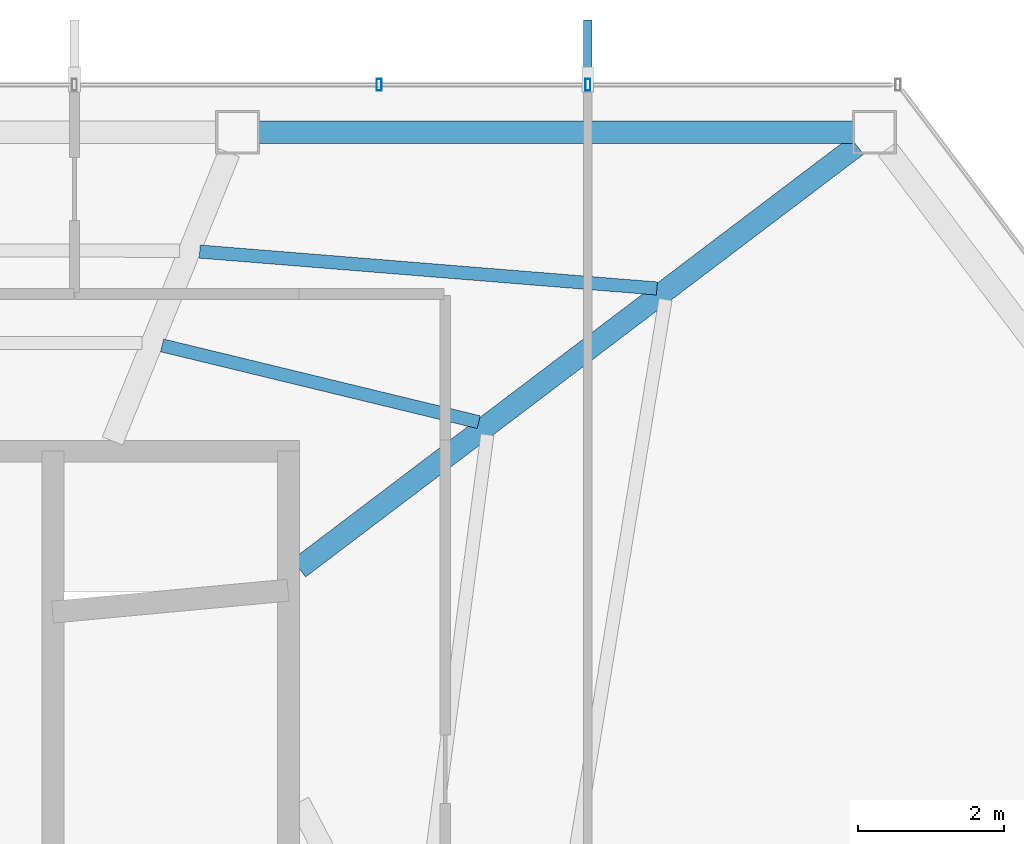
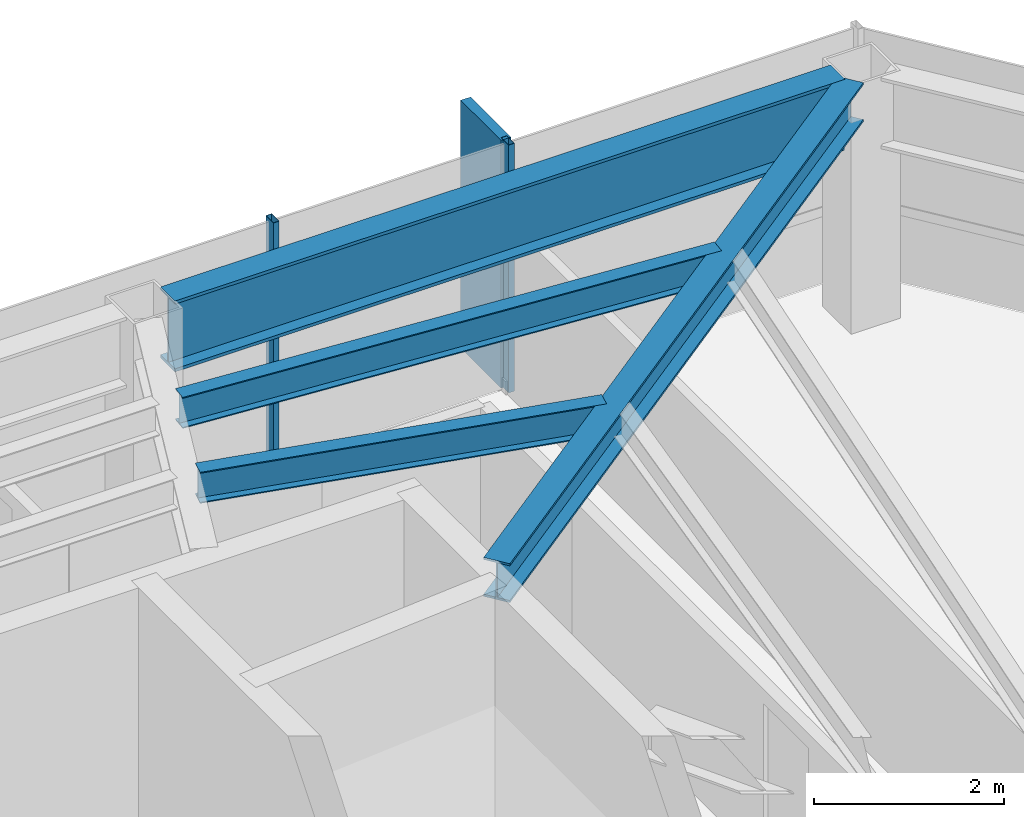
# One storey, part 19 of 25: 4 beams, 3 members, 1 element without a shape of its own.
"""IFC4 building model written with IfcOpenShell, lengths in metres."""

from ifc_helpers import new_model, si_unit, direction, frame, origin, origin_2d, place, context, subcontext, project, spatial, rectangle, hollow_rectangle, i_section, extrude, material, layer, layer_set, material_profile, profile_set, type_object, element, aggregate, save


model = new_model("IFC4")

# Units and contexts
model_context = context("Model", 3, precision=1e-05, world=origin(), true_north=direction((0.0, 1.0)))
body_context = subcontext(model_context, "Body", "Model", "MODEL_VIEW")
ifc_project = project(units=[si_unit("LENGTHUNIT", "METRE"), si_unit("AREAUNIT", "SQUARE_METRE"), si_unit("VOLUMEUNIT", "CUBIC_METRE"), si_unit("PLANEANGLEUNIT", "RADIAN"), si_unit("MASSUNIT", "GRAM", prefix="KILO")], contexts=[model_context])

# Site, building, storey
site_placement = place(None, origin())
site = spatial("IfcSite", under=ifc_project, at=site_placement, CompositionType="ELEMENT")
building_placement = place(site_placement, origin())
building = spatial("IfcBuilding", under=site, at=building_placement, Name="Zarrinselat Tower", CompositionType="ELEMENT")
storey_placement = place(building_placement, frame((0.0, 0.0, 208.760009765625)))
storey = spatial("IfcBuildingStorey", under=building, at=storey_placement, Name="L51", CompositionType="ELEMENT", Elevation=208.760009765625)

# Beams
ifc_material_1 = material(Name="Steel S355J2", Category="steel")
ifc_material_profile_1 = material_profile(ifc_material_1, i_section(OverallWidth=0.300048828125, OverallDepth=0.5, WebThickness=0.014404296875, FlangeThickness=0.028076171875, at=origin_2d()), Name="HEB 500")
ifc_profile_set_1 = profile_set([ifc_material_profile_1], Name="Steel S355J2")
beam_type_1 = type_object("IfcBeamType", Name="BM-HEB500", PredefinedType="BEAM", material=ifc_profile_set_1)
beam_1_placement = place(storey_placement, frame((48.35009765625, 41.800048828125, 2.929931640625), z_axis=(0.797082100563, 0.603870950586, 0.0), x_axis=(-0.603870950586, 0.797082100563, 0.0)))
element("IfcBeam", 1, at=beam_1_placement, inside=storey, type_object=beam_type_1, Name="L51 Radial Primary Girder RG01", PredefinedType="BEAM", context=body_context, shape_type="SweptSolid", body=[
    extrude(i_section(OverallWidth=0.300048828125, OverallDepth=0.5, WebThickness=0.014404296875, FlangeThickness=0.028076171875, at=origin_2d()), origin(), (0.0, 0.0, 1.0), 9.569091796875),
])
ifc_material_2 = material(Name="Steel S460M", Category="steel")
ifc_material_profile_2 = material_profile(ifc_material_2, i_section(OverallWidth=0.302001953125, OverallDepth=0.909912109375, WebThickness=0.02099609375, FlangeThickness=0.0400390625, at=origin_2d()), Name="HEM 900")
ifc_profile_set_2 = profile_set([ifc_material_profile_2], Name="Steel S460M")
beam_type_2 = type_object("IfcBeamType", Name="BM-HEM900", PredefinedType="BEAM", material=ifc_profile_set_2)
beam_2_placement = place(storey_placement, frame((47.798095703125, 47.760986328125, 2.72509765625), z_axis=(1.0, 0.0, 0.0), x_axis=(0.0, 1.0, 0.0)))
element("IfcBeam", 2, at=beam_2_placement, inside=storey, type_object=beam_type_2, Name="L51 Perimeter Spandrel Girder SP01", PredefinedType="BEAM", context=body_context, shape_type="SweptSolid", body=[
    extrude(i_section(OverallWidth=0.302001953125, OverallDepth=0.909912109375, WebThickness=0.02099609375, FlangeThickness=0.0400390625, at=origin_2d()), origin(), (0.0, 0.0, 1.0), 8.132080078125),
])
ifc_material_3 = material(Name="Steel S355J2", Category="steel")
ifc_material_profile_3 = material_profile(ifc_material_3, i_section(OverallWidth=0.179931640625, OverallDepth=0.39990234375, WebThickness=0.008544921875, FlangeThickness=0.013427734375, at=origin_2d()), Name="IPE 400")
ifc_profile_set_3 = profile_set([ifc_material_profile_3], Name="Steel S355J2")
beam_type_3 = type_object("IfcBeamType", Name="BM-IPE400", PredefinedType="JOIST", material=ifc_profile_set_3)
beam_3_placement = place(storey_placement, frame((46.993408203125, 46.1298828125, 2.97998046875), z_axis=(0.996757462047, -0.080464662138, 0.0), x_axis=(0.080464662138, 0.996757462047, 0.0)))
element("IfcBeam", 3, at=beam_3_placement, inside=storey, type_object=beam_type_3, Name="L51 Composite Floor Joist 6-1", PredefinedType="JOIST", context=body_context, shape_type="SweptSolid", body=[
    extrude(i_section(OverallWidth=0.179931640625, OverallDepth=0.39990234375, WebThickness=0.008544921875, FlangeThickness=0.013427734375, at=origin_2d()), origin(), (0.0, 0.0, 1.0), 6.271484375),
])
beam_4_placement = place(storey_placement, frame((46.47900390625, 44.846923828125, 2.97998046875), z_axis=(0.971849344998, -0.23560316345, 0.0), x_axis=(0.23560316345, 0.971849344998, 0.0)))
element("IfcBeam", 4, at=beam_4_placement, inside=storey, type_object=beam_type_3, Name="L51 Composite Floor Joist 6-2", PredefinedType="JOIST", context=body_context, shape_type="SweptSolid", body=[
    extrude(i_section(OverallWidth=0.179931640625, OverallDepth=0.39990234375, WebThickness=0.008544921875, FlangeThickness=0.013427734375, at=origin_2d()), origin(), (0.0, 0.0, 1.0), 4.453857421875),
])

# Curtain wall, members
ifc_material_4 = material(Name="Extruded Aluminium Alloy EN AW-6063 T6", Category="aluminium")
ifc_layer = layer(ifc_material_4, 0.169921875)
ifc_layer_set = layer_set([ifc_layer], Name="Extruded Aluminium Alloy EN AW-6063 T6")
curtain_wall_type = type_object("IfcCurtainWallType", Name="CWS-RES", PredefinedType="NOTDEFINED", material=ifc_layer_set)
curtain_wall_placement = place(storey_placement, origin())
curtain_wall = element("IfcCurtainWall", 5, at=curtain_wall_placement, inside=storey, type_object=curtain_wall_type, Name="L51 Unitised Curtain Wall CW-L51-E01", PredefinedType="NOTDEFINED")
ifc_material_5 = material(Name="Extruded Aluminium Alloy EN AW-6063 T6", Category="aluminium")
ifc_material_profile_4 = material_profile(ifc_material_5, hollow_rectangle(XDim=0.070068359375, YDim=0.159912109375, WallThickness=0.00390625, at=origin_2d()), Name="RHS 160x70x4")
ifc_profile_set_4 = profile_set([ifc_material_profile_4], Name="Extruded Aluminium Alloy EN AW-6063 T6")
member_type_1 = type_object("IfcMemberType", Name="MEM-CW-MUL2", PredefinedType="MULLION", material=ifc_profile_set_4)
member_1_placement = place(storey_placement, frame((52.300048828125, 48.4111328125, 0.0), z_axis=(0.0, 0.0, 1.0), x_axis=(-1.0, 0.0, 0.0)))
member_1 = element("IfcMember", 6, at=member_1_placement, type_object=member_type_1, Name="CW-L51-E01 Mullion 1", PredefinedType="MULLION", context=body_context, shape_type="SweptSolid", body=[
    extrude(hollow_rectangle(XDim=0.070068359375, YDim=0.159912109375, WallThickness=0.00390625, at=origin_2d()), origin(), (0.0, 0.0, 1.0), 3.179931640625),
])
member_2_placement = place(storey_placement, frame((49.445556640625, 48.4111328125, 0.0), z_axis=(0.0, 0.0, 1.0), x_axis=(-1.0, 0.0, 0.0)))
member_2 = element("IfcMember", 7, at=member_2_placement, type_object=member_type_1, Name="CW-L51-E01 Mullion 2", PredefinedType="MULLION", context=body_context, shape_type="SweptSolid", body=[
    extrude(hollow_rectangle(XDim=0.070068359375, YDim=0.159912109375, WallThickness=0.00390625, at=origin_2d()), origin(), (0.0, 0.0, 1.0), 3.179931640625),
])
ifc_material_6 = material(Name="Honed Cream Travertine Stone", Category="masonry")
ifc_material_profile_5 = material_profile(ifc_material_6, rectangle(XDim=0.1201171875, YDim=0.85009765625, at=origin_2d()), Name="FIN 850x120")
ifc_profile_set_5 = profile_set([ifc_material_profile_5], Name="Honed Cream Travertine Stone")
member_type_2 = type_object("IfcMemberType", Name="MEM-STONE-FIN", PredefinedType="USERDEFINED", material=ifc_profile_set_5)
member_3_placement = place(storey_placement, frame((52.300048828125, 48.87109375, 0.0), z_axis=(0.0, 0.0, 1.0), x_axis=(1.0, 0.0, 0.0)))
member_3 = element("IfcMember", 8, at=member_3_placement, type_object=member_type_2, Name="L51 Stone Shading Fin CW-L51-E01-01", ObjectType="FIN", PredefinedType="USERDEFINED", context=body_context, shape_type="SweptSolid", body=[
    extrude(rectangle(XDim=0.1201171875, YDim=0.85009765625, at=origin_2d()), origin(), (0.0, 0.0, 1.0), 3.179931640625),
])
aggregate(curtain_wall, [member_1, member_3, member_2])

save(model, "model.ifc")
